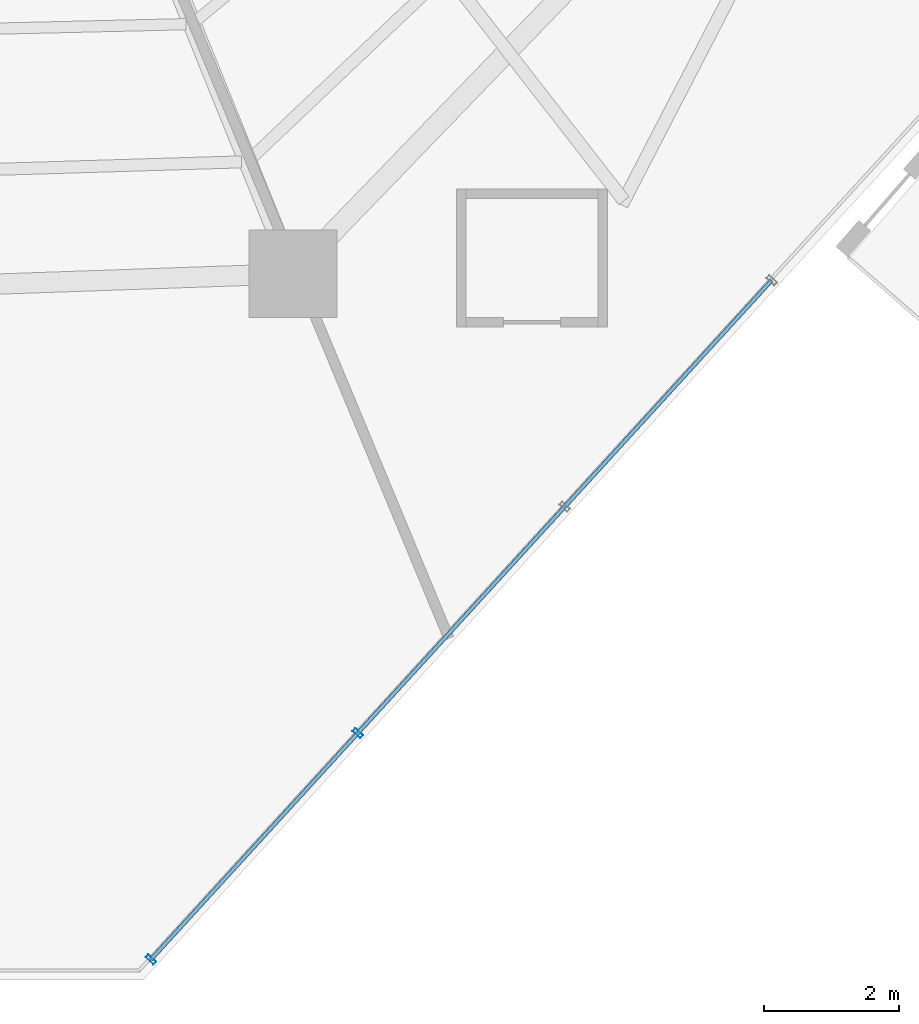
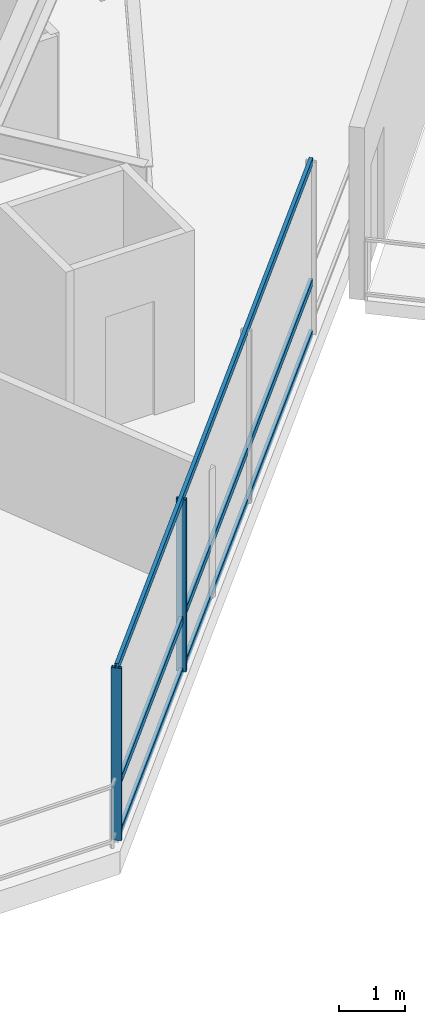
# One storey, part 5 of 33: 5 members, 1 element without a shape of its own.
"""IFC4 building model written with IfcOpenShell, lengths in metres."""

from ifc_helpers import new_model, si_unit, direction, frame, origin, origin_2d, place, context, subcontext, project, spatial, hollow_rectangle, extrude, material, layer, layer_set, material_profile, profile_set, type_object, element, aggregate, save


model = new_model("IFC4")

# Units and contexts
model_context = context("Model", 3, precision=1e-05, world=origin(), true_north=direction((0.0, 1.0)))
body_context = subcontext(model_context, "Body", "Model", "MODEL_VIEW")
ifc_project = project(units=[si_unit("LENGTHUNIT", "METRE"), si_unit("AREAUNIT", "SQUARE_METRE"), si_unit("VOLUMEUNIT", "CUBIC_METRE"), si_unit("PLANEANGLEUNIT", "RADIAN"), si_unit("MASSUNIT", "GRAM", prefix="KILO")], contexts=[model_context])

# Site, building, storey
site_placement = place(None, origin())
site = spatial("IfcSite", under=ifc_project, at=site_placement, CompositionType="ELEMENT")
building_placement = place(site_placement, origin())
building = spatial("IfcBuilding", under=site, at=building_placement, Name="Qarnah Convention Tower", CompositionType="ELEMENT")
storey_placement = place(building_placement, frame((0.0, 0.0, 27.0)))
storey = spatial("IfcBuildingStorey", under=building, at=storey_placement, Name="L05", CompositionType="ELEMENT", Elevation=27.0)

# Curtain wall, members
ifc_material_1 = material(Name="Tempered Low-E dark glass", Category="glass")
ifc_layer = layer(ifc_material_1, 0.16796875)
ifc_layer_set = layer_set([ifc_layer], Name="Tempered Low-E dark glass")
curtain_wall_type = type_object("IfcCurtainWallType", Name="CWS-01", PredefinedType="NOTDEFINED", material=ifc_layer_set)
curtain_wall_placement = place(storey_placement, origin())
curtain_wall = element("IfcCurtainWall", 1, at=curtain_wall_placement, inside=storey, type_object=curtain_wall_type, Name="L05 unitised curtain wall CW-L05-F4", PredefinedType="NOTDEFINED")
ifc_material_2 = material(Name="Black anodised aluminium", Category="aluminium")
ifc_material_profile_1 = material_profile(ifc_material_2, hollow_rectangle(XDim=0.06005859375, YDim=0.159912109375, WallThickness=0.00390625, at=origin_2d()), Name="MUL-60X160")
ifc_profile_set_1 = profile_set([ifc_material_profile_1], Name="Black anodised aluminium")
member_type_1 = type_object("IfcMemberType", Name="MUL-T1", PredefinedType="MULLION", material=ifc_profile_set_1)
member_1_placement = place(storey_placement, frame((44.3603515625, 4.253662109375, 0.0), z_axis=(0.0, 0.0, 1.0), x_axis=(-0.674643525132, -0.738143694681, 0.0)))
member_1 = element("IfcMember", 2, at=member_1_placement, type_object=member_type_1, Name="CW-L05-F4 mullion 3", PredefinedType="MULLION", context=body_context, shape_type="SweptSolid", body=[
    extrude(hollow_rectangle(XDim=0.06005859375, YDim=0.159912109375, WallThickness=0.00390625, at=origin_2d()), origin(), (0.0, 0.0, 1.0), 3.169921875),
])
member_2_placement = place(storey_placement, frame((41.297119140625, 0.902099609375, 0.0), z_axis=(0.0, 0.0, 1.0), x_axis=(-0.674643525132, -0.738143694681, 0.0)))
member_2 = element("IfcMember", 3, at=member_2_placement, type_object=member_type_1, Name="CW-L05-F4 mullion 4", PredefinedType="MULLION", context=body_context, shape_type="SweptSolid", body=[
    extrude(hollow_rectangle(XDim=0.06005859375, YDim=0.159912109375, WallThickness=0.00390625, at=origin_2d()), origin(), (0.0, 0.0, 1.0), 3.169921875),
])
ifc_material_profile_2 = material_profile(ifc_material_2, hollow_rectangle(XDim=0.06005859375, YDim=0.1298828125, WallThickness=0.00390625, at=origin_2d()), Name="TRN-60X130")
ifc_profile_set_2 = profile_set([ifc_material_profile_2], Name="Black anodised aluminium")
member_type_2 = type_object("IfcMemberType", Name="TRN-T1", PredefinedType="USERDEFINED", material=ifc_profile_set_2)
member_3_placement = place(storey_placement, frame((50.487060546875, 10.95703125, 0.0), z_axis=(-0.674643675586, -0.73814355717, 0.0), x_axis=(0.73814355717, -0.674643675586, 0.0)))
member_3 = element("IfcMember", 4, at=member_3_placement, type_object=member_type_2, Name="CW-L05-F4 transom 1", ObjectType="TRANSOM", PredefinedType="USERDEFINED", context=body_context, shape_type="SweptSolid", body=[
    extrude(hollow_rectangle(XDim=0.06005859375, YDim=0.1298828125, WallThickness=0.00390625, at=origin_2d()), origin(), (0.0, 0.0, 1.0), 13.621826171875),
])
member_4_placement = place(storey_placement, frame((50.487060546875, 10.95703125, 0.949951171875), z_axis=(-0.674643675586, -0.73814355717, 0.0), x_axis=(0.73814355717, -0.674643675586, 0.0)))
member_4 = element("IfcMember", 5, at=member_4_placement, type_object=member_type_2, Name="CW-L05-F4 transom 2", ObjectType="TRANSOM", PredefinedType="USERDEFINED", context=body_context, shape_type="SweptSolid", body=[
    extrude(hollow_rectangle(XDim=0.06005859375, YDim=0.1298828125, WallThickness=0.00390625, at=origin_2d()), origin(), (0.0, 0.0, 1.0), 13.621826171875),
])
member_5_placement = place(storey_placement, frame((50.487060546875, 10.95703125, 3.169921875), z_axis=(-0.674643675586, -0.73814355717, 0.0), x_axis=(0.73814355717, -0.674643675586, 0.0)))
member_5 = element("IfcMember", 6, at=member_5_placement, type_object=member_type_2, Name="CW-L05-F4 transom 3", ObjectType="TRANSOM", PredefinedType="USERDEFINED", context=body_context, shape_type="SweptSolid", body=[
    extrude(hollow_rectangle(XDim=0.06005859375, YDim=0.1298828125, WallThickness=0.00390625, at=origin_2d()), origin(), (0.0, 0.0, 1.0), 13.621826171875),
])
aggregate(curtain_wall, [member_1, member_2, member_3, member_4, member_5])

save(model, "model.ifc")
